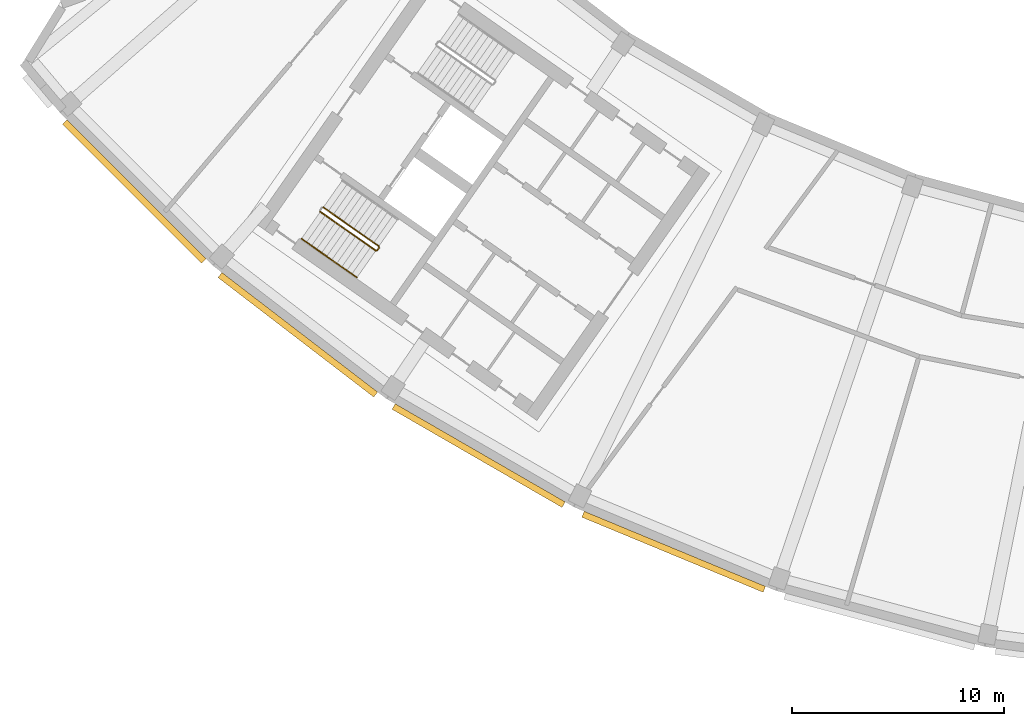
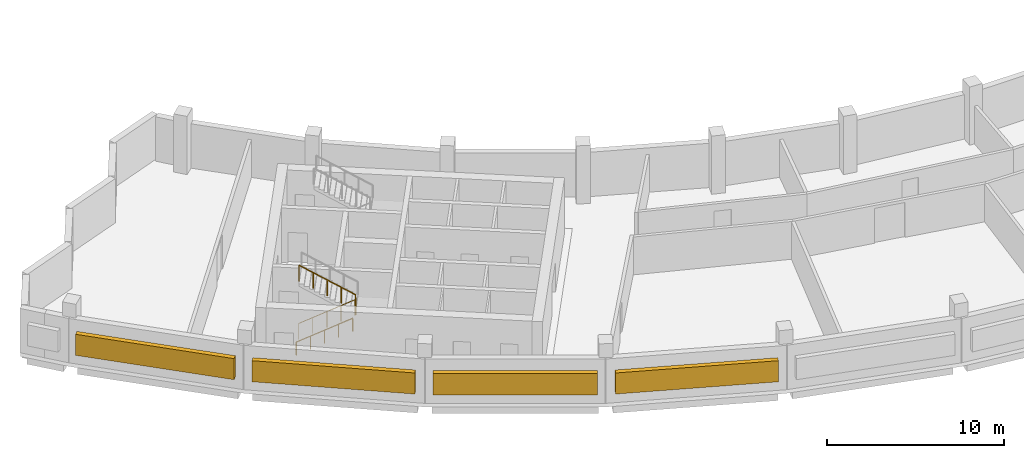
# One storey, part 8 of 11: 4 shading devices, 3 railings.
"""IFC4 building model written with IfcOpenShell, lengths in metres."""

from ifc_helpers import new_model, si_unit, direction, frame, origin, origin_2d, place, context, subcontext, project, spatial, rectangle, circle, extrude, material, type_object, element, save


model = new_model("IFC4")

# Units and contexts
model_context = context("Model", 3, precision=1e-05, world=origin(), true_north=direction((0.0, 1.0)))
body_context = subcontext(model_context, "Body", "Model", "MODEL_VIEW")
ifc_project = project(units=[si_unit("LENGTHUNIT", "METRE"), si_unit("AREAUNIT", "SQUARE_METRE"), si_unit("VOLUMEUNIT", "CUBIC_METRE"), si_unit("PLANEANGLEUNIT", "RADIAN"), si_unit("MASSUNIT", "GRAM", prefix="KILO")], contexts=[model_context])

# Site, building, storey
site_placement = place(None, origin())
site = spatial("IfcSite", under=ifc_project, at=site_placement, CompositionType="ELEMENT")
building_placement = place(site_placement, origin())
building = spatial("IfcBuilding", under=site, at=building_placement, Name="Qamariyya Broadcast Tower", CompositionType="ELEMENT")
storey_placement = place(building_placement, frame((0.0, 0.0, 310.699951171875)))
storey = spatial("IfcBuildingStorey", under=building, at=storey_placement, Name="L75", CompositionType="ELEMENT", Elevation=310.699951171875)

# Railings
ifc_material_1 = material(Name="Painted steel", Category="steel")
railing_type_1 = type_object("IfcRailingType", Name="Stair guard", PredefinedType="GUARDRAIL", material=ifc_material_1)
railing_1_placement = place(storey_placement, frame((-46.624267578125, -56.34765625, 0.166748046875)))
element("IfcRailing", 1, at=railing_1_placement, inside=storey, type_object=railing_type_1, Name="L75 ST-W1 stair guard 1", PredefinedType="GUARDRAIL", context=body_context, shape_type="SweptSolid", body=[
    extrude(circle(Radius=0.02392578125, at=origin_2d()), frame((0.0, 0.0, 1.076171875), z_axis=(0.710204256923, -0.497335411159, 0.498264389913), x_axis=(0.573611290809, 0.819127637829, 0.0)), (0.0, 0.0, 1.0), 3.67919921875),
    extrude(circle(Radius=0.02392578125, at=origin_2d()), frame((2.613037109375, -1.829833984375, 2.9091796875), z_axis=(0.984957024646, 0.172799478008, 0.0), x_axis=(-0.172799478008, 0.984957024646, 0.0)), (0.0, 0.0, 1.0), 0.070556640625),
    extrude(circle(Radius=0.02392578125, at=origin_2d()), frame((2.6826171875, -1.817626953125, 2.9091796875), z_axis=(0.57368046593, 0.819079192149, 0.0), x_axis=(-0.819079192149, 0.57368046593, 0.0)), (0.0, 0.0, 1.0), 0.150146484375),
    extrude(circle(Radius=0.02099609375, at=origin_2d()), origin(), (0.0, 0.0, 1.0), 1.052001953125),
    extrude(circle(Radius=0.02099609375, at=origin_2d()), frame((0.6533203125, -0.45751953125, 0.458251953125)), (0.0, 0.0, 1.0), 1.052001953125),
    extrude(circle(Radius=0.02099609375, at=origin_2d()), frame((1.306640625, -0.9150390625, 0.91650390625)), (0.0, 0.0, 1.0), 1.052001953125),
    extrude(circle(Radius=0.02099609375, at=origin_2d()), frame((1.959716796875, -1.372314453125, 1.375)), (0.0, 0.0, 1.0), 1.052001953125),
    extrude(circle(Radius=0.02099609375, at=origin_2d()), frame((2.613037109375, -1.829833984375, 1.833251953125)), (0.0, 0.0, 1.0), 1.052001953125),
    extrude(circle(Radius=0.02099609375, at=origin_2d()), frame((2.6826171875, -1.817626953125, 1.833251953125)), (0.0, 0.0, 1.0), 1.052001953125),
    extrude(circle(Radius=0.02099609375, at=origin_2d()), frame((2.768798828125, -1.694580078125, 1.833251953125)), (0.0, 0.0, 1.0), 1.052001953125),
])
railing_2_placement = place(storey_placement, frame((-43.867919921875, -57.97265625, 2.166748046875)))
element("IfcRailing", 2, at=railing_2_placement, inside=storey, type_object=railing_type_1, Name="L75 ST-W1 stair guard 2", PredefinedType="GUARDRAIL", context=body_context, shape_type="SweptSolid", body=[
    extrude(circle(Radius=0.02392578125, at=origin_2d()), frame((0.0, 0.0, 1.076171875), z_axis=(-0.710227693972, 0.497285465629, 0.498280832854), x_axis=(-0.573559936391, -0.819163597438, 0.0)), (0.0, 0.0, 1.0), 3.67919921875),
    extrude(circle(Radius=0.02099609375, at=origin_2d()), origin(), (0.0, 0.0, 1.0), 1.052001953125),
    extrude(circle(Radius=0.02099609375, at=origin_2d()), frame((-0.6533203125, 0.45751953125, 0.458251953125)), (0.0, 0.0, 1.0), 1.052001953125),
    extrude(circle(Radius=0.02099609375, at=origin_2d()), frame((-1.306640625, 0.914794921875, 0.91650390625)), (0.0, 0.0, 1.0), 1.052001953125),
    extrude(circle(Radius=0.02099609375, at=origin_2d()), frame((-1.959716796875, 1.3720703125, 1.375)), (0.0, 0.0, 1.0), 1.052001953125),
    extrude(circle(Radius=0.02099609375, at=origin_2d()), frame((-2.613037109375, 1.82958984375, 1.833251953125)), (0.0, 0.0, 1.0), 1.052001953125),
])
ifc_material_2 = material(Name="Stainless steel", Category="steel")
railing_type_2 = type_object("IfcRailingType", Name="Stair handrail", PredefinedType="HANDRAIL", material=ifc_material_2)
railing_3_placement = place(storey_placement, frame((-47.513427734375, -57.617431640625, 0.166748046875)))
element("IfcRailing", 3, at=railing_3_placement, inside=storey, type_object=railing_type_2, Name="L75 ST-W1 stair handrail 1", PredefinedType="HANDRAIL", context=body_context, shape_type="SweptSolid", body=[
    extrude(circle(Radius=0.02392578125, at=origin_2d()), frame((0.0, 0.0, 0.8759765625), z_axis=(0.710204256923, -0.497335411159, 0.498264389913), x_axis=(0.573611290809, 0.819127637829, 0.0)), (0.0, 0.0, 1.0), 3.67919921875),
    extrude(circle(Radius=0.02099609375, at=origin_2d()), origin(), (0.0, 0.0, 1.0), 0.851806640625),
    extrude(circle(Radius=0.02099609375, at=origin_2d()), frame((0.6533203125, -0.45751953125, 0.458251953125)), (0.0, 0.0, 1.0), 0.851806640625),
    extrude(circle(Radius=0.02099609375, at=origin_2d()), frame((1.306640625, -0.9150390625, 0.91650390625)), (0.0, 0.0, 1.0), 0.851806640625),
    extrude(circle(Radius=0.02099609375, at=origin_2d()), frame((1.959716796875, -1.372314453125, 1.375)), (0.0, 0.0, 1.0), 0.851806640625),
    extrude(circle(Radius=0.02099609375, at=origin_2d()), frame((2.613037109375, -1.829833984375, 1.833251953125)), (0.0, 0.0, 1.0), 0.851806640625),
])

# Shading devices
ifc_material_3 = material(Name="Glazed terracotta", Category="masonry")
shading_device_type = type_object("IfcShadingDeviceType", Name="Terracotta louvre bank", PredefinedType="USERDEFINED", material=ifc_material_3)
for number, where, z_axis, x_axis, name in (
    (4, (-55.38916015625, -55.38916015625, 0.80029296875), (0.0, 0.0, 1.0), (0.707106781187, -0.707106781187, 0.0), "e-lv-L75-01"),
    (5, (-47.685546875, -62.145263671875, 0.80029296875), (0.0, 0.0, 1.0), (0.793353340291, -0.608761429009, 0.0), "e-lv-L75-02"),
    (6, (-39.166015625, -67.837646484375, 0.80029296875), (0.0, 0.0, 1.0), (0.866025403784, -0.5, 0.0), "e-lv-L75-03"),
    (7, (-29.9765625, -72.36962890625, 0.80029296875), (0.0, 0.0, 1.0), (0.923879532511, -0.382683432365, 0.0), "e-lv-L75-04"),
):
    element("IfcShadingDevice", number, at=place(storey_placement, frame(where, z_axis=z_axis, x_axis=x_axis)), inside=storey, type_object=shading_device_type, Name=name, ObjectType="LOUVRE", PredefinedType="USERDEFINED", context=body_context, shape_type="SweptSolid", body=[
        extrude(rectangle(XDim=9.248779296875, YDim=0.300048828125, at=origin_2d()), origin(), (0.0, 0.0, 1.0), 1.449951171875),
    ])

save(model, "model.ifc")
